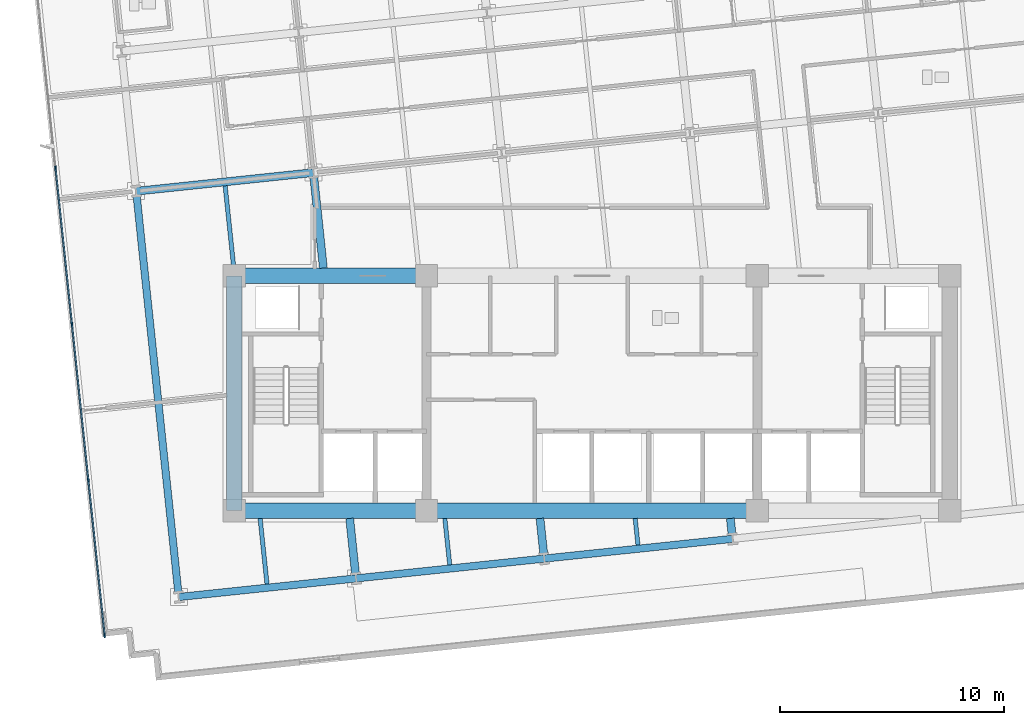
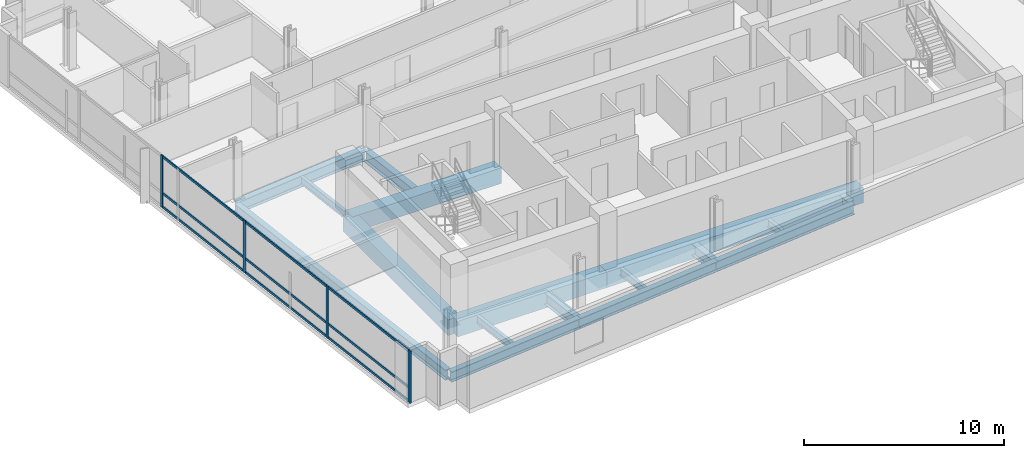
# One storey, part 2 of 18: 17 beams, 13 members, 1 element without a shape of its own.
"""IFC4 building model written with IfcOpenShell, lengths in metres."""

from ifc_helpers import new_model, si_unit, direction, frame, origin, origin_2d, place, context, subcontext, project, spatial, rectangle, i_section, extrude, material, material_profile, profile_set, type_object, element, aggregate, save


model = new_model("IFC4")

# Units and contexts
model_context = context("Model", 3, precision=1e-05, world=origin(), true_north=direction((0.0, 1.0)))
body_context = subcontext(model_context, "Body", "Model", "MODEL_VIEW")
ifc_project = project(units=[si_unit("LENGTHUNIT", "METRE"), si_unit("AREAUNIT", "SQUARE_METRE"), si_unit("VOLUMEUNIT", "CUBIC_METRE"), si_unit("PLANEANGLEUNIT", "RADIAN"), si_unit("MASSUNIT", "GRAM", prefix="KILO")], contexts=[model_context])

# Site, building, storey
site_placement = place(None, origin())
site = spatial("IfcSite", under=ifc_project, at=site_placement, CompositionType="ELEMENT")
building_placement = place(site_placement, origin())
building = spatial("IfcBuilding", under=site, at=building_placement, Name="Solmavex Isthmus Hotel", CompositionType="ELEMENT")
storey_placement = place(building_placement, frame((0.0, 0.0, 123.60009765625)))
storey = spatial("IfcBuildingStorey", under=building, at=storey_placement, Name="L33", CompositionType="ELEMENT", Elevation=123.60009765625)

# Beams
ifc_material_1 = material(Name="Steel ASTM A992 Grade 50", Category="steel")
ifc_material_profile_1 = material_profile(ifc_material_1, i_section(OverallWidth=0.354736328125, OverallDepth=0.695556640625, WebThickness=0.015380859375, FlangeThickness=0.02490234375, FilletRadius=0.017822265625, at=origin_2d()), Name="W27X146")
ifc_profile_set_1 = profile_set([ifc_material_profile_1], Name="Steel ASTM A992 Grade 50")
beam_type_1 = type_object("IfcBeamType", Name="BM-BG-W27X146", PredefinedType="BEAM", material=ifc_profile_set_1)
beam_1_placement = place(storey_placement, frame((-20.383056640625, 1.28564453125, -0.60791015625), z_axis=(0.994520217478, 0.10454442609, 0.0), x_axis=(-0.10454442609, 0.994520217478, 0.0)))
element("IfcBeam", 1, at=beam_1_placement, inside=storey, type_object=beam_type_1, Name="Floor Girder L33-UG07", PredefinedType="BEAM", context=body_context, shape_type="SweptSolid", body=[
    extrude(i_section(OverallWidth=0.354736328125, OverallDepth=0.695556640625, WebThickness=0.015380859375, FlangeThickness=0.02490234375, FilletRadius=0.017822265625, at=origin_2d()), origin(), (0.0, 0.0, 1.0), 7.968017578125),
])
beam_2_placement = place(storey_placement, frame((-10.568115234375, -15.868896484375, -0.60791015625), z_axis=(-0.104589444628, 0.994515484079, 0.0), x_axis=(-0.994515484079, -0.104589444628, 0.0)))
element("IfcBeam", 2, at=beam_2_placement, inside=storey, type_object=beam_type_1, Name="Floor Beam L33-VG28", PredefinedType="BEAM", context=body_context, shape_type="SweptSolid", body=[
    extrude(i_section(OverallWidth=0.354736328125, OverallDepth=0.695556640625, WebThickness=0.015380859375, FlangeThickness=0.02490234375, FilletRadius=0.017822265625, at=origin_2d()), origin(), (0.0, 0.0, 1.0), 2.53271484375),
])
beam_3_placement = place(storey_placement, frame((-12.010009765625, -2.14990234375, -0.60791015625), z_axis=(-0.104548881212, 0.994519749144, 0.0), x_axis=(-0.994519749144, -0.104548881212, 0.0)))
element("IfcBeam", 3, at=beam_3_placement, inside=storey, type_object=beam_type_1, Name="Floor Beam L33-VG29", PredefinedType="BEAM", context=body_context, shape_type="SweptSolid", body=[
    extrude(i_section(OverallWidth=0.354736328125, OverallDepth=0.695556640625, WebThickness=0.015380859375, FlangeThickness=0.02490234375, FilletRadius=0.017822265625, at=origin_2d()), origin(), (0.0, 0.0, 1.0), 4.114501953125),
])
beam_4_placement = place(storey_placement, frame((-2.148681640625, -14.984130859375, -0.60791015625), z_axis=(-0.104460468373, 0.99452903957, 0.0), x_axis=(-0.99452903957, -0.104460468373, 0.0)))
element("IfcBeam", 4, at=beam_4_placement, inside=storey, type_object=beam_type_1, Name="Floor Beam L33-VG32", PredefinedType="BEAM", context=body_context, shape_type="SweptSolid", body=[
    extrude(i_section(OverallWidth=0.354736328125, OverallDepth=0.695556640625, WebThickness=0.015380859375, FlangeThickness=0.02490234375, FilletRadius=0.017822265625, at=origin_2d()), origin(), (0.0, 0.0, 1.0), 1.64306640625),
])
beam_5_placement = place(storey_placement, frame((6.27099609375, -14.09912109375, -0.60791015625), z_axis=(-0.104381041728, 0.99453737895, 0.0), x_axis=(-0.99453737895, -0.104381041728, 0.0)))
element("IfcBeam", 5, at=beam_5_placement, inside=storey, type_object=beam_type_1, Name="Floor Beam L33-VG36", PredefinedType="BEAM", context=body_context, shape_type="SweptSolid", body=[
    extrude(i_section(OverallWidth=0.354736328125, OverallDepth=0.695556640625, WebThickness=0.015380859375, FlangeThickness=0.02490234375, FilletRadius=0.017822265625, at=origin_2d()), origin(), (0.0, 0.0, 1.0), 0.753173828125),
])
ifc_material_profile_2 = material_profile(ifc_material_1, i_section(OverallWidth=0.1904296875, OverallDepth=0.456787109375, WebThickness=0.009033203125, FlangeThickness=0.014404296875, FilletRadius=0.0126953125, at=origin_2d()), Name="W18X50")
ifc_profile_set_2 = profile_set([ifc_material_profile_2], Name="Steel ASTM A992 Grade 50")
beam_type_2 = type_object("IfcBeamType", Name="BM-BJ-W18X50", PredefinedType="JOIST", material=ifc_profile_set_2)
beam_6_placement = place(storey_placement, frame((-14.5302734375, -16.285400390625, -0.488525390625), z_axis=(-0.104555607512, 0.994519042019, 0.0), x_axis=(-0.994519042019, -0.104555607512, 0.0)))
element("IfcBeam", 6, at=beam_6_placement, inside=storey, type_object=beam_type_2, Name="Secondary Floor Joist L33-J01", PredefinedType="JOIST", context=body_context, shape_type="SweptSolid", body=[
    extrude(i_section(OverallWidth=0.1904296875, OverallDepth=0.456787109375, WebThickness=0.009033203125, FlangeThickness=0.014404296875, FilletRadius=0.0126953125, at=origin_2d()), origin(), (0.0, 0.0, 1.0), 2.951416015625),
])
beam_7_placement = place(storey_placement, frame((-16.01611328125, -2.14990234375, -0.488525390625), z_axis=(-0.104505969986, 0.99452425925, 0.0), x_axis=(-0.99452425925, -0.104505969986, 0.0)))
element("IfcBeam", 7, at=beam_7_placement, inside=storey, type_object=beam_type_2, Name="Secondary Floor Joist L33-J02", PredefinedType="JOIST", context=body_context, shape_type="SweptSolid", body=[
    extrude(i_section(OverallWidth=0.1904296875, OverallDepth=0.456787109375, WebThickness=0.009033203125, FlangeThickness=0.014404296875, FilletRadius=0.0126953125, at=origin_2d()), origin(), (0.0, 0.0, 1.0), 3.69580078125),
])
beam_8_placement = place(storey_placement, frame((-6.3583984375, -15.426513671875, -0.488525390625), z_axis=(-0.104538696399, 0.99452081977, 0.0), x_axis=(-0.99452081977, -0.104538696399, 0.0)))
element("IfcBeam", 8, at=beam_8_placement, inside=storey, type_object=beam_type_2, Name="Secondary Floor Joist L33-J05", PredefinedType="JOIST", context=body_context, shape_type="SweptSolid", body=[
    extrude(i_section(OverallWidth=0.1904296875, OverallDepth=0.456787109375, WebThickness=0.009033203125, FlangeThickness=0.014404296875, FilletRadius=0.0126953125, at=origin_2d()), origin(), (0.0, 0.0, 1.0), 2.087890625),
])
beam_9_placement = place(storey_placement, frame((2.061279296875, -14.54150390625, -0.488525390625), z_axis=(-0.104546872872, 0.994519960269, 0.0), x_axis=(-0.994519960269, -0.104546872872, 0.0)))
element("IfcBeam", 9, at=beam_9_placement, inside=storey, type_object=beam_type_2, Name="Secondary Floor Joist L33-J09", PredefinedType="JOIST", context=body_context, shape_type="SweptSolid", body=[
    extrude(i_section(OverallWidth=0.1904296875, OverallDepth=0.456787109375, WebThickness=0.009033203125, FlangeThickness=0.014404296875, FilletRadius=0.0126953125, at=origin_2d()), origin(), (0.0, 0.0, 1.0), 1.197998046875),
])
ifc_material_2 = material(Name="Concrete C60/75", Category="concrete")
ifc_material_profile_3 = material_profile(ifc_material_2, rectangle(XDim=0.699951171875, YDim=0.949951171875, at=origin_2d()), Name="RC700X950")
ifc_profile_set_3 = profile_set([ifc_material_profile_3], Name="Concrete C60/75")
beam_type_3 = type_object("IfcBeamType", Name="BM-CB-700X950", PredefinedType="BEAM", material=ifc_profile_set_3)
beam_10_placement = place(storey_placement, frame((-16.0, -13.0, -0.735107421875), z_axis=(1.0, 0.0, 0.0), x_axis=(0.0, 1.0, 0.0)))
element("IfcBeam", 10, at=beam_10_placement, inside=storey, type_object=beam_type_3, Name="Core Coupling Beam L33-CB1", PredefinedType="BEAM", context=body_context, shape_type="SweptSolid", body=[
    extrude(rectangle(XDim=0.699951171875, YDim=0.949951171875, at=origin_2d()), origin(), (0.0, 0.0, 1.0), 8.60009765625),
])
beam_11_placement = place(storey_placement, frame((-7.39990234375, -13.0, -0.735107421875), z_axis=(1.0, 0.0, 0.0), x_axis=(0.0, 1.0, 0.0)))
element("IfcBeam", 11, at=beam_11_placement, inside=storey, type_object=beam_type_3, Name="Core Coupling Beam L33-CB2", PredefinedType="BEAM", context=body_context, shape_type="SweptSolid", body=[
    extrude(rectangle(XDim=0.699951171875, YDim=0.949951171875, at=origin_2d()), origin(), (0.0, 0.0, 1.0), 14.7998046875),
])
beam_12_placement = place(storey_placement, frame((-16.0, -2.5, -0.735107421875), z_axis=(1.0, 0.0, 0.0), x_axis=(0.0, 1.0, 0.0)))
element("IfcBeam", 12, at=beam_12_placement, inside=storey, type_object=beam_type_3, Name="Core Coupling Beam L33-CB4", PredefinedType="BEAM", context=body_context, shape_type="SweptSolid", body=[
    extrude(rectangle(XDim=0.699951171875, YDim=0.949951171875, at=origin_2d()), origin(), (0.0, 0.0, 1.0), 8.60009765625),
])
beam_13_placement = place(storey_placement, frame((-16.0, -13.0, -0.735107421875), z_axis=(0.0, 1.0, 0.0), x_axis=(-1.0, 0.0, 0.0)))
element("IfcBeam", 13, at=beam_13_placement, inside=storey, type_object=beam_type_3, Name="Core Coupling Beam L33-CB7", PredefinedType="BEAM", context=body_context, shape_type="SweptSolid", body=[
    extrude(rectangle(XDim=0.699951171875, YDim=0.949951171875, at=origin_2d()), origin(), (0.0, 0.0, 1.0), 10.5),
])
ifc_material_profile_4 = material_profile(ifc_material_1, i_section(OverallWidth=0.326416015625, OverallDepth=0.621826171875, WebThickness=0.015380859375, FlangeThickness=0.0244140625, FilletRadius=0.01513671875, at=origin_2d()), Name="W24X131")
ifc_profile_set_4 = profile_set([ifc_material_profile_4], Name="Steel ASTM A992 Grade 50")
beam_type_4 = type_object("IfcBeamType", Name="BM-SP-W24X131", PredefinedType="SPANDREL", material=ifc_profile_set_4)
beam_14_placement = place(storey_placement, frame((-18.475341796875, -16.8642578125, -0.571044921875), z_axis=(0.994523402738, 0.104514120609, 0.0), x_axis=(-0.104514120609, 0.994523402738, 0.0)))
element("IfcBeam", 14, at=beam_14_placement, inside=storey, type_object=beam_type_4, Name="Floor Girder L33-UG01", PredefinedType="SPANDREL", context=body_context, shape_type="SweptSolid", body=[
    extrude(i_section(OverallWidth=0.326416015625, OverallDepth=0.621826171875, WebThickness=0.015380859375, FlangeThickness=0.0244140625, FilletRadius=0.01513671875, at=origin_2d()), origin(), (0.0, 0.0, 1.0), 7.968017578125),
])
beam_15_placement = place(storey_placement, frame((-10.551025390625, -16.031494140625, -0.571044921875), z_axis=(0.994520770064, 0.104539169271, 0.0), x_axis=(-0.104539169271, 0.994520770064, 0.0)))
element("IfcBeam", 15, at=beam_15_placement, inside=storey, type_object=beam_type_4, Name="Floor Girder L33-UG02", PredefinedType="SPANDREL", context=body_context, shape_type="SweptSolid", body=[
    extrude(i_section(OverallWidth=0.326416015625, OverallDepth=0.621826171875, WebThickness=0.015380859375, FlangeThickness=0.0244140625, FilletRadius=0.01513671875, at=origin_2d()), origin(), (0.0, 0.0, 1.0), 8.4658203125),
])
beam_16_placement = place(storey_placement, frame((-2.131591796875, -15.146484375, -0.571044921875), z_axis=(0.994521085209, 0.104536171134, 0.0), x_axis=(-0.104536171134, 0.994521085209, 0.0)))
element("IfcBeam", 16, at=beam_16_placement, inside=storey, type_object=beam_type_4, Name="Floor Girder L33-UG03", PredefinedType="SPANDREL", context=body_context, shape_type="SweptSolid", body=[
    extrude(i_section(OverallWidth=0.326416015625, OverallDepth=0.621826171875, WebThickness=0.015380859375, FlangeThickness=0.0244140625, FilletRadius=0.01513671875, at=origin_2d()), origin(), (0.0, 0.0, 1.0), 8.466064453125),
])
beam_17_placement = place(storey_placement, frame((-18.492431640625, -16.701904296875, -0.571044921875), z_axis=(-0.104530088192, 0.99452172458, 0.0), x_axis=(-0.99452172458, -0.104530088192, 0.0)))
element("IfcBeam", 17, at=beam_17_placement, inside=storey, type_object=beam_type_4, Name="Floor Beam L33-VG25", PredefinedType="SPANDREL", context=body_context, shape_type="SweptSolid", body=[
    extrude(i_section(OverallWidth=0.326416015625, OverallDepth=0.621826171875, WebThickness=0.015380859375, FlangeThickness=0.0244140625, FilletRadius=0.01513671875, at=origin_2d()), origin(), (0.0, 0.0, 1.0), 17.909423828125),
])

# Curtain wall, members
ifc_material_3 = material(Name="Aluminium alloy 6063-T6", Category="aluminium")
curtain_wall_type = type_object("IfcCurtainWallType", Name="CW-SYS-03", PredefinedType="NOTDEFINED", material=ifc_material_3)
curtain_wall_placement = place(storey_placement, origin())
curtain_wall = element("IfcCurtainWall", 18, at=curtain_wall_placement, inside=storey, type_object=curtain_wall_type, Name="Stick Curtain Wall CWL-L33-W1", PredefinedType="NOTDEFINED")
ifc_material_profile_5 = material_profile(ifc_material_3, rectangle(XDim=0.070068359375, YDim=0.179931640625, at=origin_2d()), Name="CWM-70X180")
ifc_profile_set_5 = profile_set([ifc_material_profile_5], Name="Aluminium alloy 6063-T6")
member_type_1 = type_object("IfcMemberType", Name="CW-SYS-03-MUL", PredefinedType="MULLION", material=ifc_profile_set_5)
member_1_placement = place(storey_placement, frame((-21.793701171875, -18.585693359375, 0.0), z_axis=(0.0, 0.0, 1.0), x_axis=(-0.994521893044, -0.104528485381, 0.0)))
member_1 = element("IfcMember", 19, at=member_1_placement, type_object=member_type_1, Name="CW-03 mullion 1", PredefinedType="MULLION", context=body_context, shape_type="SweptSolid", body=[
    extrude(rectangle(XDim=0.070068359375, YDim=0.179931640625, at=origin_2d()), origin(), (0.0, 0.0, 1.0), 3.18994140625),
])
member_2_placement = place(storey_placement, frame((-22.52392578125, -11.638916015625, 0.0), z_axis=(0.0, 0.0, 1.0), x_axis=(-0.994521893044, -0.104528485381, 0.0)))
member_2 = element("IfcMember", 20, at=member_2_placement, type_object=member_type_1, Name="CW-03 mullion 2", PredefinedType="MULLION", context=body_context, shape_type="SweptSolid", body=[
    extrude(rectangle(XDim=0.070068359375, YDim=0.179931640625, at=origin_2d()), origin(), (0.0, 0.0, 1.0), 3.18994140625),
])
member_3_placement = place(storey_placement, frame((-23.257568359375, -4.6572265625, 0.0), z_axis=(0.0, 0.0, 1.0), x_axis=(-0.994521893044, -0.104528485381, 0.0)))
member_3 = element("IfcMember", 21, at=member_3_placement, type_object=member_type_1, Name="CW-03 mullion 3", PredefinedType="MULLION", context=body_context, shape_type="SweptSolid", body=[
    extrude(rectangle(XDim=0.070068359375, YDim=0.179931640625, at=origin_2d()), origin(), (0.0, 0.0, 1.0), 3.18994140625),
])
member_4_placement = place(storey_placement, frame((-23.991455078125, 2.32421875, 0.0), z_axis=(0.0, 0.0, 1.0), x_axis=(-0.994521893044, -0.104528485381, 0.0)))
member_4 = element("IfcMember", 22, at=member_4_placement, type_object=member_type_1, Name="CW-03 mullion 4", PredefinedType="MULLION", context=body_context, shape_type="SweptSolid", body=[
    extrude(rectangle(XDim=0.070068359375, YDim=0.179931640625, at=origin_2d()), origin(), (0.0, 0.0, 1.0), 3.18994140625),
])
ifc_material_profile_6 = material_profile(ifc_material_3, rectangle(XDim=0.070068359375, YDim=0.139892578125, at=origin_2d()), Name="CWT-70X140")
ifc_profile_set_6 = profile_set([ifc_material_profile_6], Name="Aluminium alloy 6063-T6")
member_type_2 = type_object("IfcMemberType", Name="CW-SYS-03-TRN", PredefinedType="USERDEFINED", material=ifc_profile_set_6)
member_5_placement = place(storey_placement, frame((-21.79736328125, -18.55078125, 0.06982421875), z_axis=(-0.104539595565, 0.994520725254, 0.0), x_axis=(-0.994520725254, -0.104539595565, 0.0)))
member_5 = element("IfcMember", 23, at=member_5_placement, type_object=member_type_2, Name="CW-03 transom 1.1", ObjectType="TRANSOM", PredefinedType="USERDEFINED", context=body_context, shape_type="SweptSolid", body=[
    extrude(rectangle(XDim=0.070068359375, YDim=0.139892578125, at=origin_2d()), origin(), (0.0, 0.0, 1.0), 6.9150390625),
])
member_6_placement = place(storey_placement, frame((-21.79736328125, -18.55078125, 0.89990234375), z_axis=(-0.104539595565, 0.994520725254, 0.0), x_axis=(-0.994520725254, -0.104539595565, 0.0)))
member_6 = element("IfcMember", 24, at=member_6_placement, type_object=member_type_2, Name="CW-03 transom 1.2", ObjectType="TRANSOM", PredefinedType="USERDEFINED", context=body_context, shape_type="SweptSolid", body=[
    extrude(rectangle(XDim=0.070068359375, YDim=0.139892578125, at=origin_2d()), origin(), (0.0, 0.0, 1.0), 6.9150390625),
])
member_7_placement = place(storey_placement, frame((-21.79736328125, -18.55078125, 3.119873046875), z_axis=(-0.104539595565, 0.994520725254, 0.0), x_axis=(-0.994520725254, -0.104539595565, 0.0)))
member_7 = element("IfcMember", 25, at=member_7_placement, type_object=member_type_2, Name="CW-03 transom 1.3", ObjectType="TRANSOM", PredefinedType="USERDEFINED", context=body_context, shape_type="SweptSolid", body=[
    extrude(rectangle(XDim=0.070068359375, YDim=0.139892578125, at=origin_2d()), origin(), (0.0, 0.0, 1.0), 6.9150390625),
])
member_8_placement = place(storey_placement, frame((-22.527587890625, -11.60400390625, 0.06982421875), z_axis=(-0.104507407784, 0.994524108163, 0.0), x_axis=(-0.994524108163, -0.104507407784, 0.0)))
member_8 = element("IfcMember", 26, at=member_8_placement, type_object=member_type_2, Name="CW-03 transom 2.1", ObjectType="TRANSOM", PredefinedType="USERDEFINED", context=body_context, shape_type="SweptSolid", body=[
    extrude(rectangle(XDim=0.070068359375, YDim=0.139892578125, at=origin_2d()), origin(), (0.0, 0.0, 1.0), 6.949951171875),
])
member_9_placement = place(storey_placement, frame((-22.527587890625, -11.60400390625, 0.89990234375), z_axis=(-0.104507407784, 0.994524108163, 0.0), x_axis=(-0.994524108163, -0.104507407784, 0.0)))
member_9 = element("IfcMember", 27, at=member_9_placement, type_object=member_type_2, Name="CW-03 transom 2.2", ObjectType="TRANSOM", PredefinedType="USERDEFINED", context=body_context, shape_type="SweptSolid", body=[
    extrude(rectangle(XDim=0.070068359375, YDim=0.139892578125, at=origin_2d()), origin(), (0.0, 0.0, 1.0), 6.949951171875),
])
member_10_placement = place(storey_placement, frame((-22.527587890625, -11.60400390625, 3.119873046875), z_axis=(-0.104507407784, 0.994524108163, 0.0), x_axis=(-0.994524108163, -0.104507407784, 0.0)))
member_10 = element("IfcMember", 28, at=member_10_placement, type_object=member_type_2, Name="CW-03 transom 2.3", ObjectType="TRANSOM", PredefinedType="USERDEFINED", context=body_context, shape_type="SweptSolid", body=[
    extrude(rectangle(XDim=0.070068359375, YDim=0.139892578125, at=origin_2d()), origin(), (0.0, 0.0, 1.0), 6.949951171875),
])
member_11_placement = place(storey_placement, frame((-23.26123046875, -4.62255859375, 0.06982421875), z_axis=(-0.104538500317, 0.994520840381, 0.0), x_axis=(-0.994520840381, -0.104538500317, 0.0)))
member_11 = element("IfcMember", 29, at=member_11_placement, type_object=member_type_2, Name="CW-03 transom 3.1", ObjectType="TRANSOM", PredefinedType="USERDEFINED", context=body_context, shape_type="SweptSolid", body=[
    extrude(rectangle(XDim=0.070068359375, YDim=0.139892578125, at=origin_2d()), origin(), (0.0, 0.0, 1.0), 6.9501953125),
])
member_12_placement = place(storey_placement, frame((-23.26123046875, -4.62255859375, 0.89990234375), z_axis=(-0.104538500317, 0.994520840381, 0.0), x_axis=(-0.994520840381, -0.104538500317, 0.0)))
member_12 = element("IfcMember", 30, at=member_12_placement, type_object=member_type_2, Name="CW-03 transom 3.2", ObjectType="TRANSOM", PredefinedType="USERDEFINED", context=body_context, shape_type="SweptSolid", body=[
    extrude(rectangle(XDim=0.070068359375, YDim=0.139892578125, at=origin_2d()), origin(), (0.0, 0.0, 1.0), 6.9501953125),
])
member_13_placement = place(storey_placement, frame((-23.26123046875, -4.62255859375, 3.119873046875), z_axis=(-0.104538500317, 0.994520840381, 0.0), x_axis=(-0.994520840381, -0.104538500317, 0.0)))
member_13 = element("IfcMember", 31, at=member_13_placement, type_object=member_type_2, Name="CW-03 transom 3.3", ObjectType="TRANSOM", PredefinedType="USERDEFINED", context=body_context, shape_type="SweptSolid", body=[
    extrude(rectangle(XDim=0.070068359375, YDim=0.139892578125, at=origin_2d()), origin(), (0.0, 0.0, 1.0), 6.9501953125),
])
aggregate(curtain_wall, [member_1, member_2, member_3, member_4, member_5, member_6, member_7, member_8, member_9, member_10, member_11, member_12, member_13])

save(model, "model.ifc")
